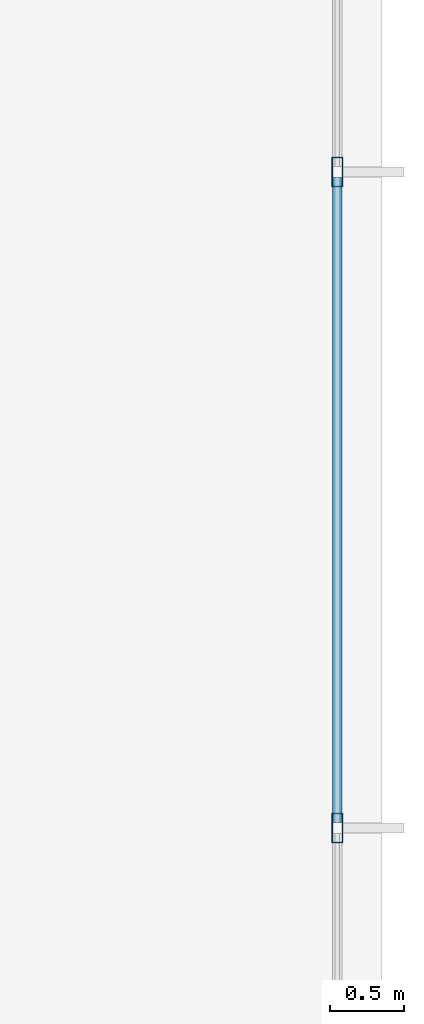
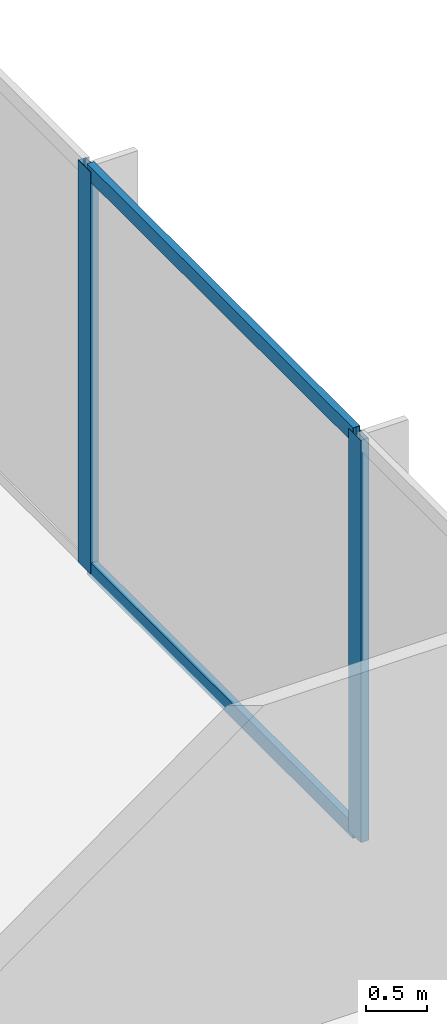
# One storey, part 22 of 42: 4 members, 1 element without a shape of its own.
"""IFC4 building model written with IfcOpenShell, lengths in metres."""

from ifc_helpers import new_model, si_unit, direction, frame, origin, origin_2d, place, context, subcontext, project, spatial, hollow_rectangle, extrude, material, layer, layer_set, material_profile, profile_set, type_object, element, aggregate, save


model = new_model("IFC4")

# Units and contexts
model_context = context("Model", 3, precision=1e-05, world=origin(), true_north=direction((0.0, 1.0)))
body_context = subcontext(model_context, "Body", "Model", "MODEL_VIEW")
ifc_project = project(units=[si_unit("LENGTHUNIT", "METRE"), si_unit("AREAUNIT", "SQUARE_METRE"), si_unit("VOLUMEUNIT", "CUBIC_METRE"), si_unit("PLANEANGLEUNIT", "RADIAN"), si_unit("MASSUNIT", "GRAM", prefix="KILO")], contexts=[model_context])

# Site, building, storey
site_placement = place(None, origin())
site = spatial("IfcSite", under=ifc_project, at=site_placement, CompositionType="ELEMENT")
building_placement = place(site_placement, origin())
building = spatial("IfcBuilding", under=site, at=building_placement, Name="Orvanel Arch Residences", CompositionType="ELEMENT")
storey_placement = place(building_placement, frame((0.0, 0.0, 5.5)))
storey = spatial("IfcBuildingStorey", under=building, at=storey_placement, Name="L01", CompositionType="ELEMENT", Elevation=5.5)

# Curtain wall, members
ifc_material = material(Name="Bronze-anodised aluminium AA6063-T6", Category="aluminium")
ifc_layer = layer(ifc_material, 0.199951171875)
ifc_layer_set = layer_set([ifc_layer], Name="Bronze-anodised aluminium AA6063-T6")
curtain_wall_type = type_object("IfcCurtainWallType", Name="CW1-POD-SYS", PredefinedType="NOTDEFINED", material=ifc_layer_set)
curtain_wall_placement = place(storey_placement, origin())
curtain_wall = element("IfcCurtainWall", 1, at=curtain_wall_placement, inside=storey, type_object=curtain_wall_type, Name="L01 CW1-POD-SYS Unitised Curtain Wall", PredefinedType="NOTDEFINED")
ifc_material_profile_1 = material_profile(ifc_material, hollow_rectangle(XDim=0.074951171875, YDim=0.199951171875, WallThickness=0.0048828125, at=origin_2d()), Name="ALU200x75x5")
ifc_profile_set_1 = profile_set([ifc_material_profile_1], Name="Bronze-anodised aluminium AA6063-T6")
member_type_1 = type_object("IfcMemberType", Name="MUL-200x75", PredefinedType="MULLION", material=ifc_profile_set_1)
member_1_placement = place(storey_placement, frame((64.449951171875, 27.5, 0.0), z_axis=(0.0, 0.0, 1.0), x_axis=(-1.0, 0.0, 0.0)))
member_1 = element("IfcMember", 2, at=member_1_placement, type_object=member_type_1, Name="CW-S1 mullion 3", PredefinedType="MULLION", context=body_context, shape_type="SweptSolid", body=[
    extrude(hollow_rectangle(XDim=0.074951171875, YDim=0.199951171875, WallThickness=0.0048828125, at=origin_2d()), origin(), (0.0, 0.0, 1.0), 4.02001953125),
])
member_2_placement = place(storey_placement, frame((64.449951171875, 31.929931640625, 0.0), z_axis=(0.0, 0.0, 1.0), x_axis=(-1.0, 0.0, 0.0)))
member_2 = element("IfcMember", 3, at=member_2_placement, type_object=member_type_1, Name="CW-S1 mullion 4", PredefinedType="MULLION", context=body_context, shape_type="SweptSolid", body=[
    extrude(hollow_rectangle(XDim=0.074951171875, YDim=0.199951171875, WallThickness=0.0048828125, at=origin_2d()), origin(), (0.0, 0.0, 1.0), 4.02001953125),
])
ifc_material_profile_2 = material_profile(ifc_material, hollow_rectangle(XDim=0.06494140625, YDim=0.14990234375, WallThickness=0.00390625, at=origin_2d()), Name="ALU150x65x4")
ifc_profile_set_2 = profile_set([ifc_material_profile_2], Name="Bronze-anodised aluminium AA6063-T6")
member_type_2 = type_object("IfcMemberType", Name="TRN-150x65", PredefinedType="USERDEFINED", material=ifc_profile_set_2)
member_3_placement = place(storey_placement, frame((64.449951171875, 27.53759765625, 0.032470703125), z_axis=(0.0, 1.0, 0.0), x_axis=(-1.0, 0.0, 0.0)))
member_3 = element("IfcMember", 4, at=member_3_placement, type_object=member_type_2, Name="CW-S1 transom 3.1", ObjectType="TRANSOM", PredefinedType="USERDEFINED", context=body_context, shape_type="SweptSolid", body=[
    extrude(hollow_rectangle(XDim=0.06494140625, YDim=0.14990234375, WallThickness=0.00390625, at=origin_2d()), origin(), (0.0, 0.0, 1.0), 4.35498046875),
])
member_4_placement = place(storey_placement, frame((64.449951171875, 27.53759765625, 3.987548828125), z_axis=(0.0, 1.0, 0.0), x_axis=(-1.0, 0.0, 0.0)))
member_4 = element("IfcMember", 5, at=member_4_placement, type_object=member_type_2, Name="CW-S1 transom 3.2", ObjectType="TRANSOM", PredefinedType="USERDEFINED", context=body_context, shape_type="SweptSolid", body=[
    extrude(hollow_rectangle(XDim=0.06494140625, YDim=0.14990234375, WallThickness=0.00390625, at=origin_2d()), origin(), (0.0, 0.0, 1.0), 4.35498046875),
])
aggregate(curtain_wall, [member_1, member_2, member_3, member_4])

save(model, "model.ifc")
